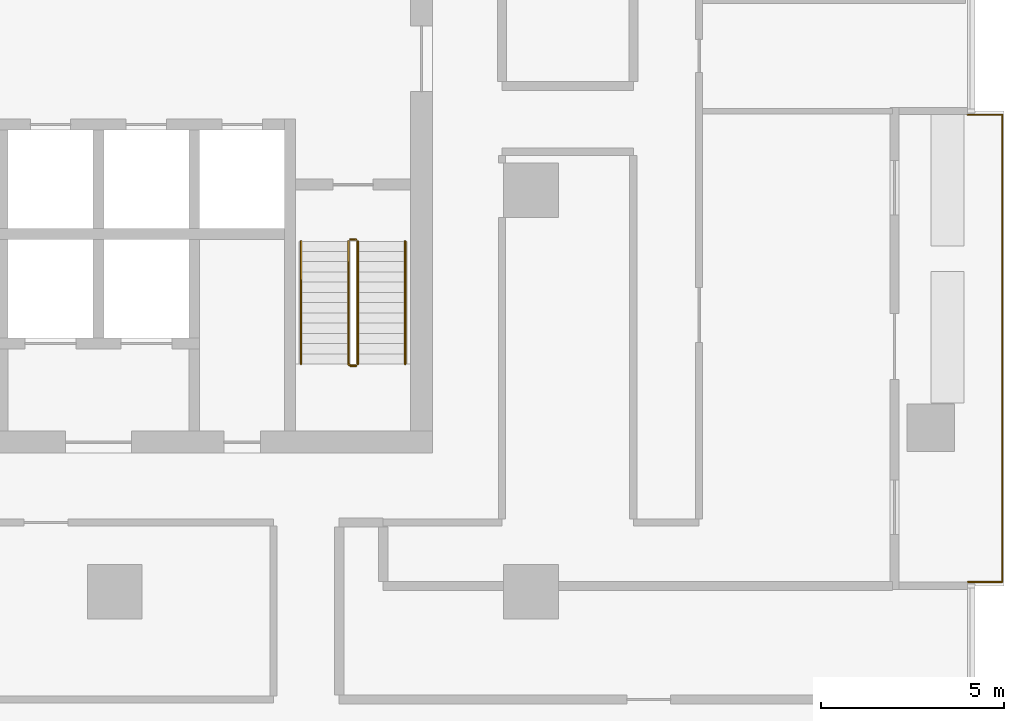
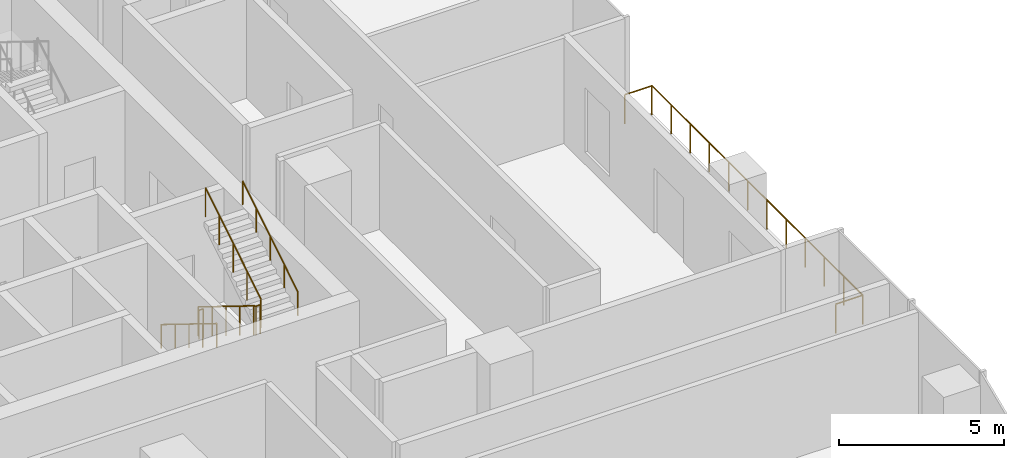
# One storey, part 13 of 14: 6 railings.
"""IFC4 building model written with IfcOpenShell, lengths in metres."""

from ifc_helpers import new_model, si_unit, direction, frame, origin, origin_2d, place, context, subcontext, project, spatial, circle, extrude, material, type_object, element, save


model = new_model("IFC4")

# Units and contexts
model_context = context("Model", 3, precision=1e-05, world=origin(), true_north=direction((0.0, 1.0)))
body_context = subcontext(model_context, "Body", "Model", "MODEL_VIEW")
ifc_project = project(units=[si_unit("LENGTHUNIT", "METRE"), si_unit("AREAUNIT", "SQUARE_METRE"), si_unit("VOLUMEUNIT", "CUBIC_METRE"), si_unit("PLANEANGLEUNIT", "RADIAN"), si_unit("MASSUNIT", "GRAM", prefix="KILO")], contexts=[model_context])

# Site, building, storey
site_placement = place(None, origin())
site = spatial("IfcSite", under=ifc_project, at=site_placement, CompositionType="ELEMENT")
building_placement = place(site_placement, origin())
building = spatial("IfcBuilding", under=site, at=building_placement, Name="Mopane Tessera Tower", CompositionType="ELEMENT")
storey_placement = place(building_placement, frame((0.0, 0.0, 144.10009765625)))
storey = spatial("IfcBuildingStorey", under=building, at=storey_placement, Name="L29", CompositionType="ELEMENT", Elevation=144.10009765625)

# Railings
ifc_material_1 = material(Name="Powder-coated steel balustrade", Category="steel")
railing_type_1 = type_object("IfcRailingType", Name="Escape stair guard 1100 mm", PredefinedType="GUARDRAIL", material=ifc_material_1)
railing_1_placement = place(storey_placement, frame((12.10009765625, -1.39990234375, 0.173095703125)))
element("IfcRailing", 1, at=railing_1_placement, inside=storey, type_object=railing_type_1, Name="L29 ST3 stair guard 1", PredefinedType="GUARDRAIL", context=body_context, shape_type="SweptSolid", body=[
    extrude(circle(Radius=0.02392578125, at=origin_2d()), frame((0.0, 0.0, 1.076171875), z_axis=(0.0, -0.850623216509, 0.525775754039), x_axis=(1.0, 0.0, 0.0)), (0.0, 0.0, 1.0), 3.9501953125),
    extrude(circle(Radius=0.02392578125, at=origin_2d()), frame((0.0, -3.360107421875, 3.15283203125), z_axis=(0.705375805398, -0.708833529934, 0.0), x_axis=(0.708833529934, 0.705375805398, 0.0)), (0.0, 0.0, 1.0), 0.070556640625),
    extrude(circle(Radius=0.02392578125, at=origin_2d()), frame((0.0498046875, -3.41015625, 3.15283203125), z_axis=(1.0, 0.0, 0.0), x_axis=(0.0, 1.0, 0.0)), (0.0, 0.0, 1.0), 0.150146484375),
    extrude(circle(Radius=0.02099609375, at=origin_2d()), origin(), (0.0, 0.0, 1.0), 1.052001953125),
    extrude(circle(Radius=0.02099609375, at=origin_2d()), frame((0.0, -0.840087890625, 0.519287109375)), (0.0, 0.0, 1.0), 1.052001953125),
    extrude(circle(Radius=0.02099609375, at=origin_2d()), frame((0.0, -1.68017578125, 1.03857421875)), (0.0, 0.0, 1.0), 1.052001953125),
    extrude(circle(Radius=0.02099609375, at=origin_2d()), frame((0.0, -2.52001953125, 1.5576171875)), (0.0, 0.0, 1.0), 1.052001953125),
    extrude(circle(Radius=0.02099609375, at=origin_2d()), frame((0.0, -3.360107421875, 2.076904296875)), (0.0, 0.0, 1.0), 1.052001953125),
    extrude(circle(Radius=0.02099609375, at=origin_2d()), frame((0.0498046875, -3.41015625, 2.076904296875)), (0.0, 0.0, 1.0), 1.052001953125),
    extrude(circle(Radius=0.02099609375, at=origin_2d()), frame((0.199951171875, -3.41015625, 2.076904296875)), (0.0, 0.0, 1.0), 1.052001953125),
])
railing_2_placement = place(storey_placement, frame((12.35009765625, -4.760009765625, 2.423095703125)))
element("IfcRailing", 2, at=railing_2_placement, inside=storey, type_object=railing_type_1, Name="L29 ST3 stair guard 2", PredefinedType="GUARDRAIL", context=body_context, shape_type="SweptSolid", body=[
    extrude(circle(Radius=0.02392578125, at=origin_2d()), frame((0.0, 0.0, 1.076171875), z_axis=(0.0, 0.850623216509, 0.525775754039), x_axis=(-1.0, 0.0, 0.0)), (0.0, 0.0, 1.0), 3.9501953125),
    extrude(circle(Radius=0.02099609375, at=origin_2d()), origin(), (0.0, 0.0, 1.0), 1.052001953125),
    extrude(circle(Radius=0.02099609375, at=origin_2d()), frame((0.0, 0.840087890625, 0.519287109375)), (0.0, 0.0, 1.0), 1.052001953125),
    extrude(circle(Radius=0.02099609375, at=origin_2d()), frame((0.0, 1.68017578125, 1.03857421875)), (0.0, 0.0, 1.0), 1.052001953125),
    extrude(circle(Radius=0.02099609375, at=origin_2d()), frame((0.0, 2.52001953125, 1.5576171875)), (0.0, 0.0, 1.0), 1.052001953125),
    extrude(circle(Radius=0.02099609375, at=origin_2d()), frame((0.0, 3.360107421875, 2.076904296875)), (0.0, 0.0, 1.0), 1.052001953125),
])
railing_3_placement = place(storey_placement, frame((12.14990234375, -1.35009765625, 0.0)))
element("IfcRailing", 3, at=railing_3_placement, inside=storey, type_object=railing_type_1, Name="L29 ST3 stair guard 3", PredefinedType="GUARDRAIL", context=body_context, shape_type="SweptSolid", body=[
    extrude(circle(Radius=0.02392578125, at=origin_2d()), frame((0.0, 0.0, 1.076171875), z_axis=(1.0, 0.0, 0.0), x_axis=(0.0, 1.0, 0.0)), (0.0, 0.0, 1.0), 0.150146484375),
    extrude(circle(Radius=0.02099609375, at=origin_2d()), origin(), (0.0, 0.0, 1.0), 1.052001953125),
    extrude(circle(Radius=0.02099609375, at=origin_2d()), frame((0.150146484375, 0.0, 0.0)), (0.0, 0.0, 1.0), 1.052001953125),
])
ifc_material_2 = material(Name="Powder-coated steel balustrade", Category="steel")
railing_type_2 = type_object("IfcRailingType", Name="Escape stair handrail 900 mm", PredefinedType="HANDRAIL", material=ifc_material_2)
railing_4_placement = place(storey_placement, frame((10.800048828125, -1.39990234375, 0.173095703125)))
element("IfcRailing", 4, at=railing_4_placement, inside=storey, type_object=railing_type_2, Name="L29 ST3 stair handrail 1", PredefinedType="HANDRAIL", context=body_context, shape_type="SweptSolid", body=[
    extrude(circle(Radius=0.02392578125, at=origin_2d()), frame((0.0, 0.0, 0.8759765625), z_axis=(0.0, -0.850623216509, 0.525775754039), x_axis=(1.0, 0.0, 0.0)), (0.0, 0.0, 1.0), 3.9501953125),
    extrude(circle(Radius=0.02099609375, at=origin_2d()), origin(), (0.0, 0.0, 1.0), 0.851806640625),
    extrude(circle(Radius=0.02099609375, at=origin_2d()), frame((0.0, -0.840087890625, 0.519287109375)), (0.0, 0.0, 1.0), 0.851806640625),
    extrude(circle(Radius=0.02099609375, at=origin_2d()), frame((0.0, -1.68017578125, 1.03857421875)), (0.0, 0.0, 1.0), 0.851806640625),
    extrude(circle(Radius=0.02099609375, at=origin_2d()), frame((0.0, -2.52001953125, 1.5576171875)), (0.0, 0.0, 1.0), 0.851806640625),
    extrude(circle(Radius=0.02099609375, at=origin_2d()), frame((0.0, -3.360107421875, 2.076904296875)), (0.0, 0.0, 1.0), 0.851806640625),
])
railing_5_placement = place(storey_placement, frame((13.64990234375, -4.760009765625, 2.423095703125)))
element("IfcRailing", 5, at=railing_5_placement, inside=storey, type_object=railing_type_2, Name="L29 ST3 stair handrail 2", PredefinedType="HANDRAIL", context=body_context, shape_type="SweptSolid", body=[
    extrude(circle(Radius=0.02392578125, at=origin_2d()), frame((0.0, 0.0, 0.8759765625), z_axis=(0.0, 0.850623216509, 0.525775754039), x_axis=(-1.0, 0.0, 0.0)), (0.0, 0.0, 1.0), 3.9501953125),
    extrude(circle(Radius=0.02099609375, at=origin_2d()), origin(), (0.0, 0.0, 1.0), 0.851806640625),
    extrude(circle(Radius=0.02099609375, at=origin_2d()), frame((0.0, 0.840087890625, 0.519287109375)), (0.0, 0.0, 1.0), 0.851806640625),
    extrude(circle(Radius=0.02099609375, at=origin_2d()), frame((0.0, 1.68017578125, 1.03857421875)), (0.0, 0.0, 1.0), 0.851806640625),
    extrude(circle(Radius=0.02099609375, at=origin_2d()), frame((0.0, 2.52001953125, 1.5576171875)), (0.0, 0.0, 1.0), 0.851806640625),
    extrude(circle(Radius=0.02099609375, at=origin_2d()), frame((0.0, 3.360107421875, 2.076904296875)), (0.0, 0.0, 1.0), 0.851806640625),
])
ifc_material_3 = material(Name="Stainless steel S316", Category="steel")
railing_type_3 = type_object("IfcRailingType", Name="Terrace guard 1100", PredefinedType="GUARDRAIL", material=ifc_material_3)
railing_6_placement = place(storey_placement, frame((29.050048828125, -10.7333984375, 0.0)))
element("IfcRailing", 6, at=railing_6_placement, inside=storey, type_object=railing_type_3, Name="e:nw:L29:N3:guard", PredefinedType="GUARDRAIL", context=body_context, shape_type="SweptSolid", body=[
    extrude(circle(Radius=0.02392578125, at=origin_2d()), frame((0.0, 0.0, 1.076171875), z_axis=(1.0, 0.0, 0.0), x_axis=(0.0, 1.0, 0.0)), (0.0, 0.0, 1.0), 0.949951171875),
    extrude(circle(Radius=0.02392578125, at=origin_2d()), frame((0.949951171875, 0.0, 1.076171875), z_axis=(0.0, 1.0, 0.0), x_axis=(-1.0, 0.0, 0.0)), (0.0, 0.0, 1.0), 12.800048828125),
    extrude(circle(Radius=0.02392578125, at=origin_2d()), frame((0.949951171875, 12.800048828125, 1.076171875), z_axis=(-1.0, 0.0, 0.0), x_axis=(0.0, -1.0, 0.0)), (0.0, 0.0, 1.0), 0.949951171875),
    extrude(circle(Radius=0.02099609375, at=origin_2d()), origin(), (0.0, 0.0, 1.0), 1.052001953125),
    extrude(circle(Radius=0.02099609375, at=origin_2d()), frame((0.949951171875, 0.0, 0.0)), (0.0, 0.0, 1.0), 1.052001953125),
    extrude(circle(Radius=0.02099609375, at=origin_2d()), frame((0.949951171875, 1.16357421875, 0.0)), (0.0, 0.0, 1.0), 1.052001953125),
    extrude(circle(Radius=0.02099609375, at=origin_2d()), frame((0.949951171875, 2.327392578125, 0.0)), (0.0, 0.0, 1.0), 1.052001953125),
    extrude(circle(Radius=0.02099609375, at=origin_2d()), frame((0.949951171875, 3.490966796875, 0.0)), (0.0, 0.0, 1.0), 1.052001953125),
    extrude(circle(Radius=0.02099609375, at=origin_2d()), frame((0.949951171875, 4.654541015625, 0.0)), (0.0, 0.0, 1.0), 1.052001953125),
    extrude(circle(Radius=0.02099609375, at=origin_2d()), frame((0.949951171875, 5.818115234375, 0.0)), (0.0, 0.0, 1.0), 1.052001953125),
    extrude(circle(Radius=0.02099609375, at=origin_2d()), frame((0.949951171875, 6.98193359375, 0.0)), (0.0, 0.0, 1.0), 1.052001953125),
    extrude(circle(Radius=0.02099609375, at=origin_2d()), frame((0.949951171875, 8.1455078125, 0.0)), (0.0, 0.0, 1.0), 1.052001953125),
    extrude(circle(Radius=0.02099609375, at=origin_2d()), frame((0.949951171875, 9.30908203125, 0.0)), (0.0, 0.0, 1.0), 1.052001953125),
    extrude(circle(Radius=0.02099609375, at=origin_2d()), frame((0.949951171875, 10.47265625, 0.0)), (0.0, 0.0, 1.0), 1.052001953125),
    extrude(circle(Radius=0.02099609375, at=origin_2d()), frame((0.949951171875, 11.636474609375, 0.0)), (0.0, 0.0, 1.0), 1.052001953125),
    extrude(circle(Radius=0.02099609375, at=origin_2d()), frame((0.949951171875, 12.800048828125, 0.0)), (0.0, 0.0, 1.0), 1.052001953125),
    extrude(circle(Radius=0.02099609375, at=origin_2d()), frame((0.0, 12.800048828125, 0.0)), (0.0, 0.0, 1.0), 1.052001953125),
])

save(model, "model.ifc")
